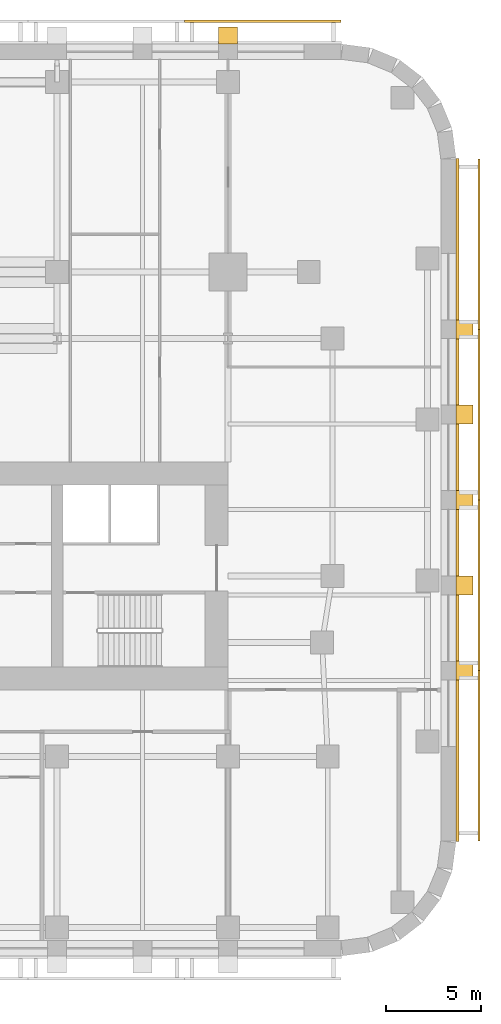
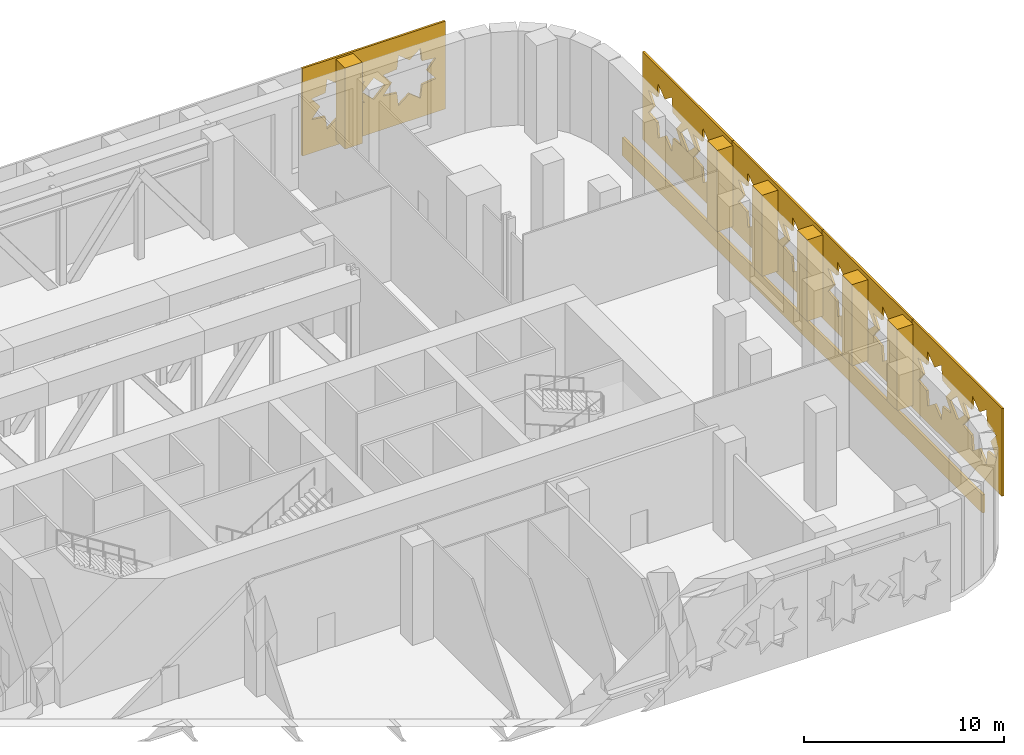
# One storey, part 15 of 15: 12 coverings.
"""IFC4 building model written with IfcOpenShell, lengths in metres."""

from ifc_helpers import new_model, si_unit, direction, frame, origin, place, context, subcontext, project, spatial, polyline, outline, extrude, material, layer, layer_set, type_object, element, save


model = new_model("IFC4")

# Units and contexts
model_context = context("Model", 3, precision=1e-05, world=origin(), true_north=direction((0.0, 1.0)))
body_context = subcontext(model_context, "Body", "Model", "MODEL_VIEW")
ifc_project = project(units=[si_unit("LENGTHUNIT", "METRE"), si_unit("AREAUNIT", "SQUARE_METRE"), si_unit("VOLUMEUNIT", "CUBIC_METRE"), si_unit("PLANEANGLEUNIT", "RADIAN"), si_unit("MASSUNIT", "GRAM", prefix="KILO")], contexts=[model_context])

# Site, building, storey
site_placement = place(None, origin())
site = spatial("IfcSite", under=ifc_project, at=site_placement, CompositionType="ELEMENT")
building_placement = place(site_placement, origin())
building = spatial("IfcBuilding", under=site, at=building_placement, Name="Zellij Exchange Tower", CompositionType="ELEMENT")
storey_placement = place(building_placement, frame((0.0, 0.0, 33.0)))
storey = spatial("IfcBuildingStorey", under=building, at=storey_placement, Name="L05", CompositionType="ELEMENT", Elevation=33.0)

# Coverings
ifc_material_1 = material(Name="Limestone cladding", Category="masonry")
ifc_layer_1 = layer(ifc_material_1, 0.14990234375)
ifc_layer_set_1 = layer_set([ifc_layer_1], Name="Limestone cladding")
covering_type_1 = type_object("IfcCoveringType", Name="ENV-CV1 Stone spandrel band 150", PredefinedType="CLADDING", material=ifc_layer_set_1)
covering_1_placement = place(storey_placement, frame((0.0, 0.0, -0.300048828125)))
element("IfcCovering", 1, at=covering_1_placement, inside=storey, type_object=covering_type_1, Name="Stone spandrel band", PredefinedType="CLADDING", context=body_context, shape_type="SweptSolid", body=[
    extrude(outline(polyline([(39.0, -21.973876953125), (39.0, 13.973876953125), (39.14990234375, 13.983642578125), (39.14990234375, -21.983642578125), (39.0, -21.973876953125)])), origin(), (0.0, 0.0, 1.0), 1.10009765625),
])
covering_type_2 = type_object("IfcCoveringType", Name="ENV-CV2 Stone pier 1000x900", PredefinedType="CLADDING", material=ifc_material_1)
covering_2_placement = place(storey_placement, frame((0.0, 0.0, 0.800048828125)))
element("IfcCovering", 2, at=covering_2_placement, inside=storey, type_object=covering_type_2, Name="Stone pier", PredefinedType="CLADDING", context=body_context, shape_type="SweptSolid", body=[
    extrude(outline(polyline([(39.0, -13.48681640625), (39.0, -12.48681640625), (39.89990234375, -12.48681640625), (39.89990234375, -13.48681640625), (39.0, -13.48681640625)])), origin(), (0.0, 0.0, 1.0), 4.949951171875),
])
covering_3_placement = place(storey_placement, frame((0.0, 0.0, 0.800048828125)))
element("IfcCovering", 3, at=covering_3_placement, inside=storey, type_object=covering_type_2, Name="Stone pier", PredefinedType="CLADDING", context=body_context, shape_type="SweptSolid", body=[
    extrude(outline(polyline([(39.0, -8.993408203125), (39.0, -7.993408203125), (39.89990234375, -7.993408203125), (39.89990234375, -8.993408203125), (39.0, -8.993408203125)])), origin(), (0.0, 0.0, 1.0), 4.949951171875),
])
covering_4_placement = place(storey_placement, frame((0.0, 0.0, 0.800048828125)))
element("IfcCovering", 4, at=covering_4_placement, inside=storey, type_object=covering_type_2, Name="Stone pier", PredefinedType="CLADDING", context=body_context, shape_type="SweptSolid", body=[
    extrude(outline(polyline([(39.0, -4.5), (39.0, -3.5), (39.89990234375, -3.5), (39.89990234375, -4.5), (39.0, -4.5)])), origin(), (0.0, 0.0, 1.0), 4.949951171875),
])
covering_5_placement = place(storey_placement, frame((0.0, 0.0, 0.800048828125)))
element("IfcCovering", 5, at=covering_5_placement, inside=storey, type_object=covering_type_2, Name="Stone pier", PredefinedType="CLADDING", context=body_context, shape_type="SweptSolid", body=[
    extrude(outline(polyline([(39.0, -0.006591796875), (39.0, 0.993408203125), (39.89990234375, 0.993408203125), (39.89990234375, -0.006591796875), (39.0, -0.006591796875)])), origin(), (0.0, 0.0, 1.0), 4.949951171875),
])
covering_6_placement = place(storey_placement, frame((0.0, 0.0, 0.800048828125)))
element("IfcCovering", 6, at=covering_6_placement, inside=storey, type_object=covering_type_2, Name="Stone pier", PredefinedType="CLADDING", context=body_context, shape_type="SweptSolid", body=[
    extrude(outline(polyline([(39.0, 4.48681640625), (39.0, 5.48681640625), (39.89990234375, 5.48681640625), (39.89990234375, 4.48681640625), (39.0, 4.48681640625)])), origin(), (0.0, 0.0, 1.0), 4.949951171875),
])
covering_7_placement = place(storey_placement, frame((0.0, 0.0, 0.800048828125)))
element("IfcCovering", 7, at=covering_7_placement, inside=storey, type_object=covering_type_2, Name="Stone pier", PredefinedType="CLADDING", context=body_context, shape_type="SweptSolid", body=[
    extrude(outline(polyline([(27.5, 20.0), (26.5, 20.0), (26.5, 20.89990234375), (27.5, 20.89990234375), (27.5, 20.0)])), origin(), (0.0, 0.0, 1.0), 4.949951171875),
])
ifc_material_2 = material(Name="Limestone screen", Category="masonry")
ifc_layer_2 = layer(ifc_material_2, 0.1201171875)
ifc_layer_set_2 = layer_set([ifc_layer_2], Name="Limestone screen")
covering_type_3 = type_object("IfcCoveringType", Name="ENV-SC1 Pierced stone screen 120", PredefinedType="USERDEFINED", material=ifc_layer_set_2)
covering_8_placement = place(storey_placement, frame((32.947509765625, 21.2099609375, 0.300048828125), z_axis=(0.0, 0.0, 1.0), x_axis=(-1.0, 0.0, 0.0)))
element("IfcCovering", 8, at=covering_8_placement, inside=storey, type_object=covering_type_3, Name="Pierced stone screen", ObjectType="SCREEN", PredefinedType="USERDEFINED", context=body_context, shape_type="SweptSolid", body=[
    extrude(outline(polyline([(0.0, 0.0), (8.23681640625, 0.0), (8.23681640625, 5.35009765625), (0.0, 5.35009765625), (0.0, 0.0)]), holes=[polyline([(3.581298828125, 3.305419921875), (2.781494140625, 3.397216796875), (2.689697265625, 4.197021484375), (2.05908203125, 3.6962890625), (1.4287109375, 4.197021484375), (1.3369140625, 3.397216796875), (0.537109375, 3.305419921875), (1.037841796875, 2.675048828125), (0.537109375, 2.044677734375), (1.3369140625, 1.952880859375), (1.4287109375, 1.153076171875), (2.05908203125, 1.653564453125), (2.689697265625, 1.153076171875), (2.781494140625, 1.952880859375), (3.581298828125, 2.044677734375), (3.08056640625, 2.675048828125), (3.581298828125, 3.305419921875)]), polyline([(7.69970703125, 3.305419921875), (6.89990234375, 3.397216796875), (6.80810546875, 4.197021484375), (6.177734375, 3.6962890625), (5.547119140625, 4.197021484375), (5.45556640625, 3.397216796875), (4.65576171875, 3.305419921875), (5.15625, 2.675048828125), (4.65576171875, 2.044677734375), (5.45556640625, 1.952880859375), (5.547119140625, 1.153076171875), (6.177734375, 1.653564453125), (6.80810546875, 1.153076171875), (6.89990234375, 1.952880859375), (7.69970703125, 2.044677734375), (7.198974609375, 2.675048828125), (7.69970703125, 3.305419921875)]), polyline([(4.77734375, 2.675048828125), (4.118408203125, 3.333984375), (3.45947265625, 2.675048828125), (4.118408203125, 2.01611328125), (4.77734375, 2.675048828125)])]), frame((0.0, 0.06005859375, 0.0), z_axis=(0.0, -1.0, 0.0), x_axis=(1.0, 0.0, 0.0)), (0.0, 0.0, 1.0), 0.1201171875),
])
for number, where, z_axis, x_axis, name in (
    (9, (40.2099609375, -21.947509765625, 0.300048828125), (0.0, 0.0, 1.0), (0.0, 1.0, 0.0), "Pierced stone screen"),
    (10, (40.2099609375, -12.973876953125, 0.300048828125), (0.0, 0.0, 1.0), (0.0, 1.0, 0.0), "Pierced stone screen"),
    (11, (40.2099609375, -4.0, 0.300048828125), (0.0, 0.0, 1.0), (0.0, 1.0, 0.0), "Pierced stone screen"),
    (12, (40.2099609375, 4.973876953125, 0.300048828125), (0.0, 0.0, 1.0), (0.0, 1.0, 0.0), "Pierced stone screen"),
):
    element("IfcCovering", number, at=place(storey_placement, frame(where, z_axis=z_axis, x_axis=x_axis)), inside=storey, type_object=covering_type_3, Name=name, ObjectType="SCREEN", PredefinedType="USERDEFINED", context=body_context, shape_type="SweptSolid", body=[
        extrude(outline(polyline([(0.0, 0.0), (8.973876953125, 0.0), (8.973876953125, 5.35009765625), (0.0, 5.35009765625), (0.0, 0.0)]), holes=[polyline([(3.901611328125, 3.36181640625), (3.0302734375, 3.4619140625), (2.930419921875, 4.3330078125), (2.243408203125, 3.787841796875), (1.556640625, 4.3330078125), (1.45654296875, 3.4619140625), (0.585205078125, 3.36181640625), (1.130615234375, 2.675048828125), (0.585205078125, 1.98828125), (1.45654296875, 1.88818359375), (1.556640625, 1.016845703125), (2.243408203125, 1.562255859375), (2.930419921875, 1.016845703125), (3.0302734375, 1.88818359375), (3.901611328125, 1.98828125), (3.356201171875, 2.675048828125), (3.901611328125, 3.36181640625)]), polyline([(8.388427734375, 3.36181640625), (7.51708984375, 3.4619140625), (7.417236328125, 4.3330078125), (6.730224609375, 3.787841796875), (6.04345703125, 4.3330078125), (5.943603515625, 3.4619140625), (5.072265625, 3.36181640625), (5.61767578125, 2.675048828125), (5.072265625, 1.98828125), (5.943603515625, 1.88818359375), (6.04345703125, 1.016845703125), (6.730224609375, 1.562255859375), (7.417236328125, 1.016845703125), (7.51708984375, 1.88818359375), (8.388427734375, 1.98828125), (7.843017578125, 2.675048828125), (8.388427734375, 3.36181640625)]), polyline([(5.204833984375, 2.675048828125), (4.48681640625, 3.392822265625), (3.76904296875, 2.675048828125), (4.48681640625, 1.95703125), (5.204833984375, 2.675048828125)])]), frame((0.0, 0.06005859375, 0.0), z_axis=(0.0, -1.0, 0.0), x_axis=(1.0, 0.0, 0.0)), (0.0, 0.0, 1.0), 0.1201171875),
    ])

save(model, "model.ifc")
